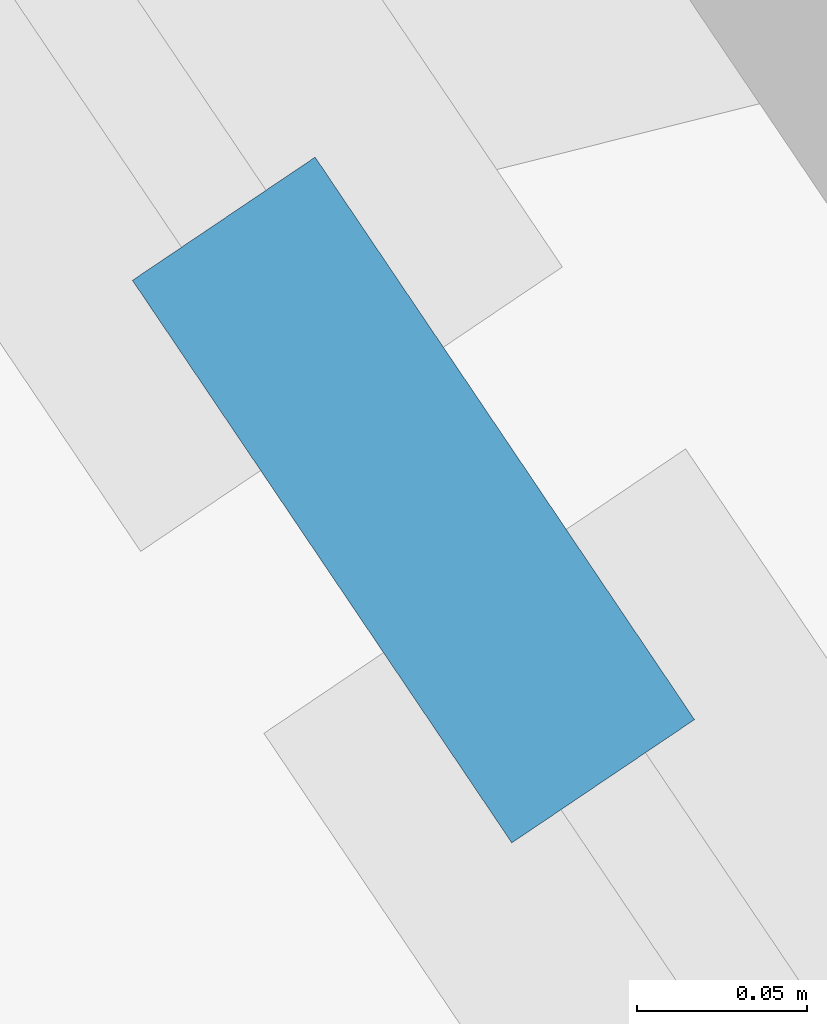
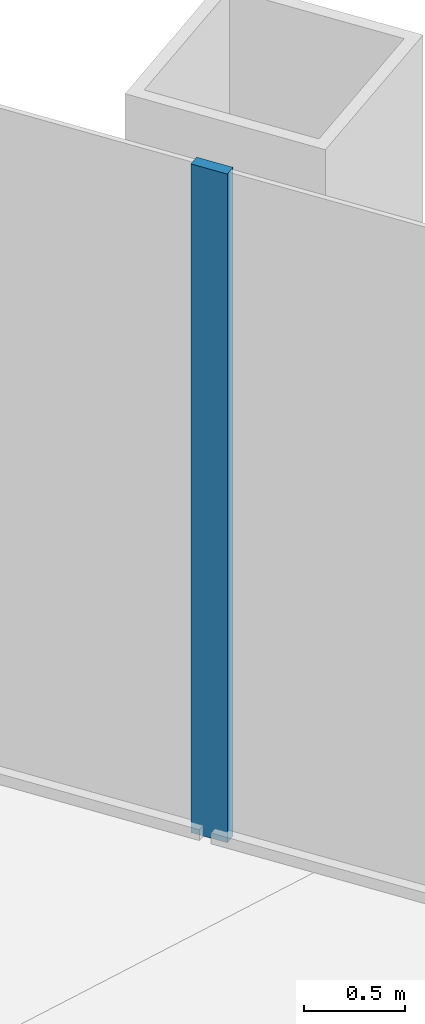
# One storey, part 5 of 13: 1 member, 1 element without a shape of its own.
"""IFC4 building model written with IfcOpenShell, lengths in metres."""

from ifc_helpers import new_model, si_unit, direction, frame, origin, origin_2d, place, context, subcontext, project, spatial, rectangle, extrude, material, material_profile, profile_set, type_object, element, aggregate, save


model = new_model("IFC4")

# Units and contexts
model_context = context("Model", 3, precision=1e-05, world=origin(), true_north=direction((0.0, 1.0)))
body_context = subcontext(model_context, "Body", "Model", "MODEL_VIEW")
ifc_project = project(units=[si_unit("LENGTHUNIT", "METRE"), si_unit("AREAUNIT", "SQUARE_METRE"), si_unit("VOLUMEUNIT", "CUBIC_METRE"), si_unit("PLANEANGLEUNIT", "RADIAN"), si_unit("MASSUNIT", "GRAM", prefix="KILO")], contexts=[model_context])

# Site, building, storey
site_placement = place(None, origin())
site = spatial("IfcSite", under=ifc_project, at=site_placement, CompositionType="ELEMENT")
building_placement = place(site_placement, origin())
building = spatial("IfcBuilding", under=site, at=building_placement, Name="Qingtian Harvest Tower", CompositionType="ELEMENT")
storey_placement = place(building_placement, frame((0.0, 0.0, 193.0)))
storey = spatial("IfcBuildingStorey", under=building, at=storey_placement, Name="L41", CompositionType="ELEMENT", Elevation=193.0)

# Curtain wall, member
ifc_material_1 = material(Name="Bronze-anodised aluminium curtain wall", Category="aluminium")
curtain_wall_type = type_object("IfcCurtainWallType", Name="Curtain wall CW4 office", PredefinedType="USERDEFINED", material=ifc_material_1)
curtain_wall_placement = place(storey_placement, origin())
curtain_wall = element("IfcCurtainWall", 1, at=curtain_wall_placement, inside=storey, type_object=curtain_wall_type, Name="Curtain wall CW4 L41 NE0-5", ObjectType="RECESSED CURTAIN WALL", PredefinedType="USERDEFINED")
ifc_material_2 = material(Name="Bronze-anodised aluminium mullion", Category="aluminium")
ifc_material_profile = material_profile(ifc_material_2, rectangle(XDim=0.06494140625, YDim=0.199951171875, at=origin_2d()), Name="AL 65x200")
ifc_profile_set = profile_set([ifc_material_profile], Name="Bronze-anodised aluminium mullion")
member_type = type_object("IfcMemberType", Name="Mullion CWM 65x200", PredefinedType="MULLION", material=ifc_profile_set)
member_placement = place(storey_placement, frame((23.150390625, 5.55712890625, 0.0), z_axis=(0.0, 0.0, 1.0), x_axis=(0.829037572555, 0.559192903471, 0.0)))
member = element("IfcMember", 2, at=member_placement, type_object=member_type, Name="CW4 mullion 6", PredefinedType="MULLION", context=body_context, shape_type="SweptSolid", body=[
    extrude(rectangle(XDim=0.06494140625, YDim=0.199951171875, at=origin_2d()), origin(), (0.0, 0.0, 1.0), 4.030029296875),
])
aggregate(curtain_wall, [member])

save(model, "model.ifc")
